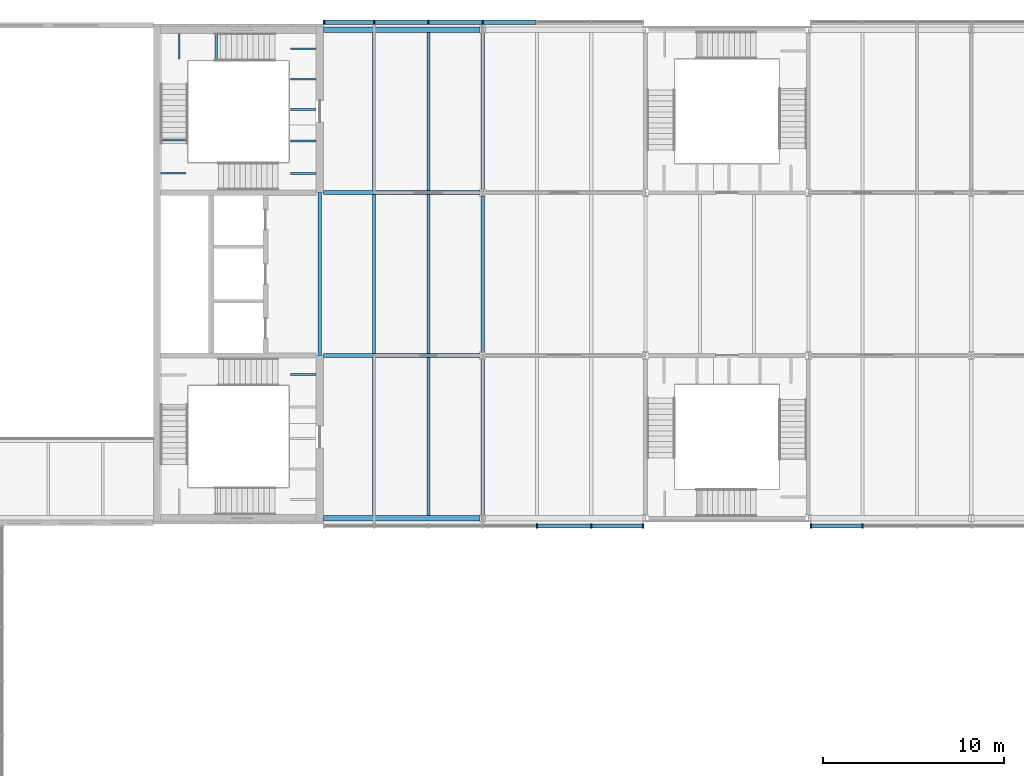
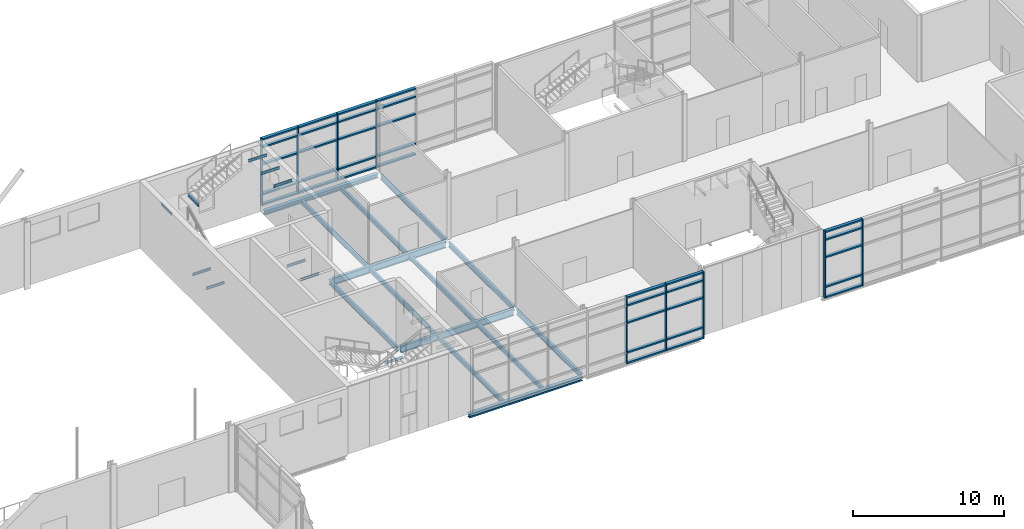
# One storey, part 25 of 56: 44 members, 24 beams, 3 elements without a shape of their own.
"""IFC4 building model written with IfcOpenShell, lengths in metres."""

from ifc_helpers import new_model, si_unit, direction, frame, origin, origin_2d, place, context, subcontext, project, spatial, rectangle, i_section, extrude, material, material_profile, profile_set, type_object, element, aggregate, save


model = new_model("IFC4")

# Units and contexts
model_context = context("Model", 3, precision=1e-05, world=origin(), true_north=direction((0.0, 1.0)))
body_context = subcontext(model_context, "Body", "Model", "MODEL_VIEW")
ifc_project = project(units=[si_unit("LENGTHUNIT", "METRE"), si_unit("AREAUNIT", "SQUARE_METRE"), si_unit("VOLUMEUNIT", "CUBIC_METRE"), si_unit("PLANEANGLEUNIT", "RADIAN"), si_unit("MASSUNIT", "GRAM", prefix="KILO")], contexts=[model_context])

# Site, building, storey
site_placement = place(None, origin())
site = spatial("IfcSite", under=ifc_project, at=site_placement, CompositionType="ELEMENT")
building_placement = place(site_placement, origin())
building = spatial("IfcBuilding", under=site, at=building_placement, Name="Azimuth Sports and Learning Centre", CompositionType="ELEMENT")
storey_placement = place(building_placement, frame((0.0, 0.0, 5.39990234375)))
storey = spatial("IfcBuildingStorey", under=building, at=storey_placement, Name="L01", CompositionType="ELEMENT", Elevation=5.39990234375)

# Beams
ifc_material_1 = material(Name="Steel S355", Category="steel")
ifc_material_profile_1 = material_profile(ifc_material_1, i_section(OverallWidth=0.10009765625, OverallDepth=0.199951171875, WebThickness=0.005615234375, FlangeThickness=0.008544921875, FilletRadius=0.011962890625, at=origin_2d()), Name="IPE 200")
ifc_profile_set_1 = profile_set([ifc_material_profile_1], Name="Steel S355")
beam_type_1 = type_object("IfcBeamType", Name="Beam IPE 200", PredefinedType="BEAM", material=ifc_profile_set_1)
for number, where, z_axis, x_axis, name in (
    (1, (116.800048828125, 97.9423828125, -0.2998046875), (-1.0, 0.0, 0.0), (0.0, -1.0, 0.0), "Landing bracket E1 L01 365"),
    (2, (116.800048828125, 109.0576171875, -0.2998046875), (-1.0, 0.0, 0.0), (0.0, -1.0, 0.0), "Landing bracket E2 L01 542"),
    (3, (116.800048828125, 110.8525390625, -0.2998046875), (-1.0, 0.0, 0.0), (0.0, -1.0, 0.0), "Landing bracket E2 L01 543"),
    (4, (108.199951171875, 109.072509765625, 1.5), (1.0, 0.0, 0.0), (0.0, 1.0, 0.0), "Landing bracket E2 L01 544"),
    (5, (108.199951171875, 110.8974609375, 1.5), (1.0, 0.0, 0.0), (0.0, 1.0, 0.0), "Landing bracket E2 L01 545"),
    (6, (109.235107421875, 116.800048828125, 3.300048828125), (0.0, -1.0, 0.0), (1.0, 0.0, 0.0), "Landing bracket E2 L01 546"),
    (7, (111.284912109375, 116.800048828125, 3.300048828125), (0.0, -1.0, 0.0), (1.0, 0.0, 0.0), "Landing bracket E2 L01 547"),
    (8, (116.800048828125, 112.590087890625, 5.10009765625), (-1.0, 0.0, 0.0), (0.0, -1.0, 0.0), "Landing bracket E2 L01 548"),
    (9, (116.800048828125, 114.27001953125, 5.10009765625), (-1.0, 0.0, 0.0), (0.0, -1.0, 0.0), "Landing bracket E2 L01 549"),
    (10, (116.800048828125, 115.949951171875, 5.10009765625), (-1.0, 0.0, 0.0), (0.0, -1.0, 0.0), "Landing bracket E2 L01 550"),
):
    element("IfcBeam", number, at=place(storey_placement, frame(where, z_axis=z_axis, x_axis=x_axis)), inside=storey, type_object=beam_type_1, Name=name, PredefinedType="BEAM", context=body_context, shape_type="SweptSolid", body=[
        extrude(i_section(OverallWidth=0.10009765625, OverallDepth=0.199951171875, WebThickness=0.005615234375, FlangeThickness=0.008544921875, FilletRadius=0.011962890625, at=origin_2d()), origin(), (0.0, 0.0, 1.0), 1.41015625),
    ])
ifc_material_2 = material(Name="Steel S355", Category="steel")
ifc_material_profile_2 = material_profile(ifc_material_2, i_section(OverallWidth=0.179931640625, OverallDepth=0.39990234375, WebThickness=0.008544921875, FlangeThickness=0.013427734375, FilletRadius=0.02099609375, at=origin_2d()), Name="IPE 400")
ifc_profile_set_2 = profile_set([ifc_material_profile_2], Name="Steel S355")
beam_type_2 = type_object("IfcBeamType", Name="Beam IPE 400", PredefinedType="BEAM", material=ifc_profile_set_2)
beam_1_placement = place(storey_placement, frame((117.0, 99.0, -0.349853515625), z_axis=(0.0, 1.0, 0.0), x_axis=(-1.0, 0.0, 0.0)))
element("IfcBeam", 11, at=beam_1_placement, inside=storey, type_object=beam_type_2, Name="Beam L01 WE 17", PredefinedType="BEAM", context=body_context, shape_type="SweptSolid", body=[
    extrude(i_section(OverallWidth=0.179931640625, OverallDepth=0.39990234375, WebThickness=0.008544921875, FlangeThickness=0.013427734375, FilletRadius=0.02099609375, at=origin_2d()), origin(), (0.0, 0.0, 1.0), 9.0),
])
for number, where, z_axis, x_axis, name in (
    (12, (126.0, 90.199951171875, -0.349853515625), (0.0, 1.0, 0.0), (-1.0, 0.0, 0.0), "Beam L01 WE 18"),
    (13, (126.0, 99.199951171875, -0.349853515625), (0.0, 1.0, 0.0), (-1.0, 0.0, 0.0), "Beam L01 WE 19"),
    (14, (126.0, 108.199951171875, -0.349853515625), (0.0, 1.0, 0.0), (-1.0, 0.0, 0.0), "Beam L01 WE 20"),
):
    element("IfcBeam", number, at=place(storey_placement, frame(where, z_axis=z_axis, x_axis=x_axis)), inside=storey, type_object=beam_type_2, Name=name, PredefinedType="BEAM", context=body_context, shape_type="SweptSolid", body=[
        extrude(i_section(OverallWidth=0.179931640625, OverallDepth=0.39990234375, WebThickness=0.008544921875, FlangeThickness=0.013427734375, FilletRadius=0.02099609375, at=origin_2d()), origin(), (0.0, 0.0, 1.0), 8.60009765625),
    ])
ifc_material_3 = material(Name="Steel S355", Category="steel")
ifc_material_profile_3 = material_profile(ifc_material_3, i_section(OverallWidth=0.2099609375, OverallDepth=0.550048828125, WebThickness=0.010986328125, FlangeThickness=0.01708984375, FilletRadius=0.02392578125, at=origin_2d()), Name="IPE 550")
ifc_profile_set_3 = profile_set([ifc_material_profile_3], Name="Steel S355")
beam_type_3 = type_object("IfcBeamType", Name="Beam IPE 550", PredefinedType="BEAM", material=ifc_profile_set_3)
for number, where, z_axis, x_axis, name in (
    (15, (117.199951171875, 99.0, -0.4248046875), (1.0, 0.0, 0.0), (0.0, 1.0, 0.0), "Beam L01 WE 5"),
    (16, (117.199951171875, 108.0, -0.4248046875), (1.0, 0.0, 0.0), (0.0, 1.0, 0.0), "Beam L01 WE 9"),
):
    element("IfcBeam", number, at=place(storey_placement, frame(where, z_axis=z_axis, x_axis=x_axis)), inside=storey, type_object=beam_type_3, Name=name, PredefinedType="BEAM", context=body_context, shape_type="SweptSolid", body=[
        extrude(i_section(OverallWidth=0.2099609375, OverallDepth=0.550048828125, WebThickness=0.010986328125, FlangeThickness=0.01708984375, FilletRadius=0.02392578125, at=origin_2d()), origin(), (0.0, 0.0, 1.0), 8.650146484375),
    ])
ifc_material_4 = material(Name="Steel S355", Category="steel")
ifc_material_profile_4 = material_profile(ifc_material_4, i_section(OverallWidth=0.300048828125, OverallDepth=0.330078125, WebThickness=0.009521484375, FlangeThickness=0.0166015625, FilletRadius=0.027099609375, at=origin_2d()), Name="HEA 340")
ifc_profile_set_4 = profile_set([ifc_material_profile_4], Name="Steel S355")
beam_type_4 = type_object("IfcBeamType", Name="Edge beam HEA 340", PredefinedType="SPANDREL", material=ifc_profile_set_4)
for number, where, z_axis, x_axis, name in (
    (17, (117.199951171875, 90.0, -0.31494140625), (1.0, 0.0, 0.0), (0.0, 1.0, 0.0), "Edge beam L01 WE 1"),
    (18, (117.199951171875, 117.0, -0.31494140625), (1.0, 0.0, 0.0), (0.0, 1.0, 0.0), "Edge beam L01 WE 13"),
):
    element("IfcBeam", number, at=place(storey_placement, frame(where, z_axis=z_axis, x_axis=x_axis)), inside=storey, type_object=beam_type_4, Name=name, PredefinedType="SPANDREL", context=body_context, shape_type="SweptSolid", body=[
        extrude(i_section(OverallWidth=0.300048828125, OverallDepth=0.330078125, WebThickness=0.009521484375, FlangeThickness=0.0166015625, FilletRadius=0.027099609375, at=origin_2d()), origin(), (0.0, 0.0, 1.0), 8.650146484375),
    ])
ifc_material_5 = material(Name="Steel S355", Category="steel")
ifc_material_profile_5 = material_profile(ifc_material_5, i_section(OverallWidth=0.169921875, OverallDepth=0.360107421875, WebThickness=0.008056640625, FlangeThickness=0.0126953125, FilletRadius=0.01806640625, at=origin_2d()), Name="IPE 360")
ifc_profile_set_5 = profile_set([ifc_material_profile_5], Name="Steel S355")
beam_type_5 = type_object("IfcBeamType", Name="Joist IPE 360", PredefinedType="JOIST", material=ifc_profile_set_5)
beam_2_placement = place(storey_placement, frame((120.0, 90.14990234375, -0.329833984375), z_axis=(0.0, 1.0, 0.0), x_axis=(-1.0, 0.0, 0.0)))
element("IfcBeam", 19, at=beam_2_placement, inside=storey, type_object=beam_type_5, Name="Joist L01 WE 27", PredefinedType="JOIST", context=body_context, shape_type="SweptSolid", body=[
    extrude(i_section(OverallWidth=0.169921875, OverallDepth=0.360107421875, WebThickness=0.008056640625, FlangeThickness=0.0126953125, FilletRadius=0.01806640625, at=origin_2d()), origin(), (0.0, 0.0, 1.0), 8.7451171875),
])
beam_3_placement = place(storey_placement, frame((120.0, 99.10498046875, -0.329833984375), z_axis=(0.0, 1.0, 0.0), x_axis=(-1.0, 0.0, 0.0)))
element("IfcBeam", 20, at=beam_3_placement, inside=storey, type_object=beam_type_5, Name="Joist L01 WE 28", PredefinedType="JOIST", context=body_context, shape_type="SweptSolid", body=[
    extrude(i_section(OverallWidth=0.169921875, OverallDepth=0.360107421875, WebThickness=0.008056640625, FlangeThickness=0.0126953125, FilletRadius=0.01806640625, at=origin_2d()), origin(), (0.0, 0.0, 1.0), 8.7900390625),
])
for number, where, z_axis, x_axis, name in (
    (21, (120.0, 108.10498046875, -0.329833984375), (0.0, 1.0, 0.0), (-1.0, 0.0, 0.0), "Joist L01 WE 29"),
    (22, (123.0, 90.14990234375, -0.329833984375), (0.0, 1.0, 0.0), (-1.0, 0.0, 0.0), "Joist L01 WE 30"),
):
    element("IfcBeam", number, at=place(storey_placement, frame(where, z_axis=z_axis, x_axis=x_axis)), inside=storey, type_object=beam_type_5, Name=name, PredefinedType="JOIST", context=body_context, shape_type="SweptSolid", body=[
        extrude(i_section(OverallWidth=0.169921875, OverallDepth=0.360107421875, WebThickness=0.008056640625, FlangeThickness=0.0126953125, FilletRadius=0.01806640625, at=origin_2d()), origin(), (0.0, 0.0, 1.0), 8.7451171875),
    ])
beam_4_placement = place(storey_placement, frame((123.0, 99.10498046875, -0.329833984375), z_axis=(0.0, 1.0, 0.0), x_axis=(-1.0, 0.0, 0.0)))
element("IfcBeam", 23, at=beam_4_placement, inside=storey, type_object=beam_type_5, Name="Joist L01 WE 31", PredefinedType="JOIST", context=body_context, shape_type="SweptSolid", body=[
    extrude(i_section(OverallWidth=0.169921875, OverallDepth=0.360107421875, WebThickness=0.008056640625, FlangeThickness=0.0126953125, FilletRadius=0.01806640625, at=origin_2d()), origin(), (0.0, 0.0, 1.0), 8.7900390625),
])
beam_5_placement = place(storey_placement, frame((123.0, 108.10498046875, -0.329833984375), z_axis=(0.0, 1.0, 0.0), x_axis=(-1.0, 0.0, 0.0)))
element("IfcBeam", 24, at=beam_5_placement, inside=storey, type_object=beam_type_5, Name="Joist L01 WE 32", PredefinedType="JOIST", context=body_context, shape_type="SweptSolid", body=[
    extrude(i_section(OverallWidth=0.169921875, OverallDepth=0.360107421875, WebThickness=0.008056640625, FlangeThickness=0.0126953125, FilletRadius=0.01806640625, at=origin_2d()), origin(), (0.0, 0.0, 1.0), 8.7451171875),
])

# Curtain wall, members
ifc_material_6 = material(Name="Aluminium and glass", Category="aluminium")
curtain_wall_type = type_object("IfcCurtainWallType", Name="Curtain wall podium wing 240", PredefinedType="NOTDEFINED", material=ifc_material_6)
curtain_wall_1_placement = place(storey_placement, origin())
curtain_wall_1 = element("IfcCurtainWall", 25, at=curtain_wall_1_placement, inside=storey, type_object=curtain_wall_type, Name="Curtain wall CW01-009", PredefinedType="NOTDEFINED")
ifc_material_7 = material(Name="Aluminium", Category="aluminium")
ifc_material_profile_6 = material_profile(ifc_material_7, rectangle(XDim=0.239990234375, YDim=0.080078125, at=origin_2d()), Name="Mullion 80x240")
ifc_profile_set_6 = profile_set([ifc_material_profile_6], Name="Aluminium")
member_type_1 = type_object("IfcMemberType", Name="Mullion 80x240", PredefinedType="MULLION", material=ifc_profile_set_6)
member_1_placement = place(storey_placement, frame((129.0, 89.580078125, 0.0), z_axis=(0.0, 0.0, 1.0), x_axis=(0.0, 1.0, 0.0)))
member_1 = element("IfcMember", 26, at=member_1_placement, type_object=member_type_1, Name="CW01-009 mullion 5", PredefinedType="MULLION", context=body_context, shape_type="SweptSolid", body=[
    extrude(rectangle(XDim=0.239990234375, YDim=0.080078125, at=origin_2d()), origin(), (0.0, 0.0, 1.0), 5.400146484375),
])
member_2_placement = place(storey_placement, frame((132.0, 89.580078125, 0.0), z_axis=(0.0, 0.0, 1.0), x_axis=(0.0, 1.0, 0.0)))
member_2 = element("IfcMember", 27, at=member_2_placement, type_object=member_type_1, Name="CW01-009 mullion 6", PredefinedType="MULLION", context=body_context, shape_type="SweptSolid", body=[
    extrude(rectangle(XDim=0.239990234375, YDim=0.080078125, at=origin_2d()), origin(), (0.0, 0.0, 1.0), 5.400146484375),
])
member_3_placement = place(storey_placement, frame((134.860107421875, 89.580078125, 0.0), z_axis=(0.0, 0.0, 1.0), x_axis=(0.0, 1.0, 0.0)))
member_3 = element("IfcMember", 28, at=member_3_placement, type_object=member_type_1, Name="CW01-009 mullion 7", PredefinedType="MULLION", context=body_context, shape_type="SweptSolid", body=[
    extrude(rectangle(XDim=0.239990234375, YDim=0.080078125, at=origin_2d()), origin(), (0.0, 0.0, 1.0), 5.400146484375),
])

curtain_wall_2_placement = place(storey_placement, origin())
curtain_wall_2 = element("IfcCurtainWall", 29, at=curtain_wall_2_placement, inside=storey, type_object=curtain_wall_type, Name="Curtain wall CW01-010", PredefinedType="NOTDEFINED")
member_4_placement = place(storey_placement, frame((144.139892578125, 89.580078125, 0.0), z_axis=(0.0, 0.0, 1.0), x_axis=(0.0, 1.0, 0.0)))
member_4 = element("IfcMember", 30, at=member_4_placement, type_object=member_type_1, Name="CW01-010 mullion 1", PredefinedType="MULLION", context=body_context, shape_type="SweptSolid", body=[
    extrude(rectangle(XDim=0.239990234375, YDim=0.080078125, at=origin_2d()), origin(), (0.0, 0.0, 1.0), 5.400146484375),
])
member_5_placement = place(storey_placement, frame((147.0, 89.580078125, 0.0), z_axis=(0.0, 0.0, 1.0), x_axis=(0.0, 1.0, 0.0)))
member_5 = element("IfcMember", 31, at=member_5_placement, type_object=member_type_1, Name="CW01-010 mullion 2", PredefinedType="MULLION", context=body_context, shape_type="SweptSolid", body=[
    extrude(rectangle(XDim=0.239990234375, YDim=0.080078125, at=origin_2d()), origin(), (0.0, 0.0, 1.0), 5.400146484375),
])

curtain_wall_3_placement = place(storey_placement, origin())
curtain_wall_3 = element("IfcCurtainWall", 32, at=curtain_wall_3_placement, inside=storey, type_object=curtain_wall_type, Name="Curtain wall CW01-012", PredefinedType="NOTDEFINED")
member_6_placement = place(storey_placement, frame((126.0, 117.419921875, 0.0), z_axis=(0.0, 0.0, 1.0), x_axis=(0.0, -1.0, 0.0)))
member_6 = element("IfcMember", 33, at=member_6_placement, type_object=member_type_1, Name="CW01-012 mullion 4", PredefinedType="MULLION", context=body_context, shape_type="SweptSolid", body=[
    extrude(rectangle(XDim=0.239990234375, YDim=0.080078125, at=origin_2d()), origin(), (0.0, 0.0, 1.0), 5.400146484375),
])
member_7_placement = place(storey_placement, frame((123.0, 117.419921875, 0.0), z_axis=(0.0, 0.0, 1.0), x_axis=(0.0, -1.0, 0.0)))
member_7 = element("IfcMember", 34, at=member_7_placement, type_object=member_type_1, Name="CW01-012 mullion 5", PredefinedType="MULLION", context=body_context, shape_type="SweptSolid", body=[
    extrude(rectangle(XDim=0.239990234375, YDim=0.080078125, at=origin_2d()), origin(), (0.0, 0.0, 1.0), 5.400146484375),
])
member_8_placement = place(storey_placement, frame((120.0, 117.419921875, 0.0), z_axis=(0.0, 0.0, 1.0), x_axis=(0.0, -1.0, 0.0)))
member_8 = element("IfcMember", 35, at=member_8_placement, type_object=member_type_1, Name="CW01-012 mullion 6", PredefinedType="MULLION", context=body_context, shape_type="SweptSolid", body=[
    extrude(rectangle(XDim=0.239990234375, YDim=0.080078125, at=origin_2d()), origin(), (0.0, 0.0, 1.0), 5.400146484375),
])
member_9_placement = place(storey_placement, frame((117.239990234375, 117.419921875, 0.0), z_axis=(0.0, 0.0, 1.0), x_axis=(0.0, -1.0, 0.0)))
member_9 = element("IfcMember", 36, at=member_9_placement, type_object=member_type_1, Name="CW01-012 mullion 7", PredefinedType="MULLION", context=body_context, shape_type="SweptSolid", body=[
    extrude(rectangle(XDim=0.239990234375, YDim=0.080078125, at=origin_2d()), origin(), (0.0, 0.0, 1.0), 5.400146484375),
])

# Member
ifc_material_8 = material(Name="Aluminium", Category="aluminium")
ifc_material_profile_7 = material_profile(ifc_material_8, rectangle(XDim=0.239990234375, YDim=0.1201171875, at=origin_2d()), Name="Transom 120x240")
ifc_profile_set_7 = profile_set([ifc_material_profile_7], Name="Aluminium")
member_type_2 = type_object("IfcMemberType", Name="Transom 120x240", PredefinedType="USERDEFINED", material=ifc_profile_set_7)
member_10_placement = place(storey_placement, frame((129.0400390625, 89.580078125, 0.06005859375), z_axis=(1.0, 0.0, 0.0), x_axis=(0.0, 1.0, 0.0)))
member_10 = element("IfcMember", 37, at=member_10_placement, type_object=member_type_2, Name="CW01-009 transom 5.1", ObjectType="TRANSOM", PredefinedType="USERDEFINED", context=body_context, shape_type="SweptSolid", body=[
    extrude(rectangle(XDim=0.239990234375, YDim=0.1201171875, at=origin_2d()), origin(), (0.0, 0.0, 1.0), 2.919921875),
])

member_11_placement = place(storey_placement, frame((129.0400390625, 89.580078125, 0.900146484375), z_axis=(1.0, 0.0, 0.0), x_axis=(0.0, 1.0, 0.0)))
member_11 = element("IfcMember", 38, at=member_11_placement, type_object=member_type_2, Name="CW01-009 transom 5.2", ObjectType="TRANSOM", PredefinedType="USERDEFINED", context=body_context, shape_type="SweptSolid", body=[
    extrude(rectangle(XDim=0.239990234375, YDim=0.1201171875, at=origin_2d()), origin(), (0.0, 0.0, 1.0), 2.919921875),
])

member_12_placement = place(storey_placement, frame((129.0400390625, 89.580078125, 3.300048828125), z_axis=(1.0, 0.0, 0.0), x_axis=(0.0, 1.0, 0.0)))
member_12 = element("IfcMember", 39, at=member_12_placement, type_object=member_type_2, Name="CW01-009 transom 5.3", ObjectType="TRANSOM", PredefinedType="USERDEFINED", context=body_context, shape_type="SweptSolid", body=[
    extrude(rectangle(XDim=0.239990234375, YDim=0.1201171875, at=origin_2d()), origin(), (0.0, 0.0, 1.0), 2.919921875),
])

member_13_placement = place(storey_placement, frame((129.0400390625, 89.580078125, 4.7001953125), z_axis=(1.0, 0.0, 0.0), x_axis=(0.0, 1.0, 0.0)))
member_13 = element("IfcMember", 40, at=member_13_placement, type_object=member_type_2, Name="CW01-009 transom 5.4", ObjectType="TRANSOM", PredefinedType="USERDEFINED", context=body_context, shape_type="SweptSolid", body=[
    extrude(rectangle(XDim=0.239990234375, YDim=0.1201171875, at=origin_2d()), origin(), (0.0, 0.0, 1.0), 2.919921875),
])

member_14_placement = place(storey_placement, frame((129.0400390625, 89.580078125, 5.340087890625), z_axis=(1.0, 0.0, 0.0), x_axis=(0.0, 1.0, 0.0)))
member_14 = element("IfcMember", 41, at=member_14_placement, type_object=member_type_2, Name="CW01-009 transom 5.5", ObjectType="TRANSOM", PredefinedType="USERDEFINED", context=body_context, shape_type="SweptSolid", body=[
    extrude(rectangle(XDim=0.239990234375, YDim=0.1201171875, at=origin_2d()), origin(), (0.0, 0.0, 1.0), 2.919921875),
])

member_15_placement = place(storey_placement, frame((132.0400390625, 89.580078125, 0.06005859375), z_axis=(1.0, 0.0, 0.0), x_axis=(0.0, 1.0, 0.0)))
member_15 = element("IfcMember", 42, at=member_15_placement, type_object=member_type_2, Name="CW01-009 transom 6.1", ObjectType="TRANSOM", PredefinedType="USERDEFINED", context=body_context, shape_type="SweptSolid", body=[
    extrude(rectangle(XDim=0.239990234375, YDim=0.1201171875, at=origin_2d()), origin(), (0.0, 0.0, 1.0), 2.780029296875),
])

member_16_placement = place(storey_placement, frame((132.0400390625, 89.580078125, 0.900146484375), z_axis=(1.0, 0.0, 0.0), x_axis=(0.0, 1.0, 0.0)))
member_16 = element("IfcMember", 43, at=member_16_placement, type_object=member_type_2, Name="CW01-009 transom 6.2", ObjectType="TRANSOM", PredefinedType="USERDEFINED", context=body_context, shape_type="SweptSolid", body=[
    extrude(rectangle(XDim=0.239990234375, YDim=0.1201171875, at=origin_2d()), origin(), (0.0, 0.0, 1.0), 2.780029296875),
])

member_17_placement = place(storey_placement, frame((132.0400390625, 89.580078125, 3.300048828125), z_axis=(1.0, 0.0, 0.0), x_axis=(0.0, 1.0, 0.0)))
member_17 = element("IfcMember", 44, at=member_17_placement, type_object=member_type_2, Name="CW01-009 transom 6.3", ObjectType="TRANSOM", PredefinedType="USERDEFINED", context=body_context, shape_type="SweptSolid", body=[
    extrude(rectangle(XDim=0.239990234375, YDim=0.1201171875, at=origin_2d()), origin(), (0.0, 0.0, 1.0), 2.780029296875),
])

member_18_placement = place(storey_placement, frame((132.0400390625, 89.580078125, 4.7001953125), z_axis=(1.0, 0.0, 0.0), x_axis=(0.0, 1.0, 0.0)))
member_18 = element("IfcMember", 45, at=member_18_placement, type_object=member_type_2, Name="CW01-009 transom 6.4", ObjectType="TRANSOM", PredefinedType="USERDEFINED", context=body_context, shape_type="SweptSolid", body=[
    extrude(rectangle(XDim=0.239990234375, YDim=0.1201171875, at=origin_2d()), origin(), (0.0, 0.0, 1.0), 2.780029296875),
])

member_19_placement = place(storey_placement, frame((132.0400390625, 89.580078125, 5.340087890625), z_axis=(1.0, 0.0, 0.0), x_axis=(0.0, 1.0, 0.0)))
member_19 = element("IfcMember", 46, at=member_19_placement, type_object=member_type_2, Name="CW01-009 transom 6.5", ObjectType="TRANSOM", PredefinedType="USERDEFINED", context=body_context, shape_type="SweptSolid", body=[
    extrude(rectangle(XDim=0.239990234375, YDim=0.1201171875, at=origin_2d()), origin(), (0.0, 0.0, 1.0), 2.780029296875),
])

aggregate(curtain_wall_1, [member_1, member_2, member_3, member_10, member_11, member_12, member_13, member_14, member_15, member_16, member_17, member_18, member_19])

member_20_placement = place(storey_placement, frame((144.179931640625, 89.580078125, 0.06005859375), z_axis=(1.0, 0.0, 0.0), x_axis=(0.0, 1.0, 0.0)))
member_20 = element("IfcMember", 47, at=member_20_placement, type_object=member_type_2, Name="CW01-010 transom 1.1", ObjectType="TRANSOM", PredefinedType="USERDEFINED", context=body_context, shape_type="SweptSolid", body=[
    extrude(rectangle(XDim=0.239990234375, YDim=0.1201171875, at=origin_2d()), origin(), (0.0, 0.0, 1.0), 2.780029296875),
])

member_21_placement = place(storey_placement, frame((144.179931640625, 89.580078125, 0.900146484375), z_axis=(1.0, 0.0, 0.0), x_axis=(0.0, 1.0, 0.0)))
member_21 = element("IfcMember", 48, at=member_21_placement, type_object=member_type_2, Name="CW01-010 transom 1.2", ObjectType="TRANSOM", PredefinedType="USERDEFINED", context=body_context, shape_type="SweptSolid", body=[
    extrude(rectangle(XDim=0.239990234375, YDim=0.1201171875, at=origin_2d()), origin(), (0.0, 0.0, 1.0), 2.780029296875),
])

member_22_placement = place(storey_placement, frame((144.179931640625, 89.580078125, 3.300048828125), z_axis=(1.0, 0.0, 0.0), x_axis=(0.0, 1.0, 0.0)))
member_22 = element("IfcMember", 49, at=member_22_placement, type_object=member_type_2, Name="CW01-010 transom 1.3", ObjectType="TRANSOM", PredefinedType="USERDEFINED", context=body_context, shape_type="SweptSolid", body=[
    extrude(rectangle(XDim=0.239990234375, YDim=0.1201171875, at=origin_2d()), origin(), (0.0, 0.0, 1.0), 2.780029296875),
])

member_23_placement = place(storey_placement, frame((144.179931640625, 89.580078125, 4.7001953125), z_axis=(1.0, 0.0, 0.0), x_axis=(0.0, 1.0, 0.0)))
member_23 = element("IfcMember", 50, at=member_23_placement, type_object=member_type_2, Name="CW01-010 transom 1.4", ObjectType="TRANSOM", PredefinedType="USERDEFINED", context=body_context, shape_type="SweptSolid", body=[
    extrude(rectangle(XDim=0.239990234375, YDim=0.1201171875, at=origin_2d()), origin(), (0.0, 0.0, 1.0), 2.780029296875),
])

member_24_placement = place(storey_placement, frame((144.179931640625, 89.580078125, 5.340087890625), z_axis=(1.0, 0.0, 0.0), x_axis=(0.0, 1.0, 0.0)))
member_24 = element("IfcMember", 51, at=member_24_placement, type_object=member_type_2, Name="CW01-010 transom 1.5", ObjectType="TRANSOM", PredefinedType="USERDEFINED", context=body_context, shape_type="SweptSolid", body=[
    extrude(rectangle(XDim=0.239990234375, YDim=0.1201171875, at=origin_2d()), origin(), (0.0, 0.0, 1.0), 2.780029296875),
])

aggregate(curtain_wall_2, [member_4, member_5, member_20, member_21, member_22, member_23, member_24])

member_25_placement = place(storey_placement, frame((128.9599609375, 117.419921875, 0.06005859375), z_axis=(-1.0, 0.0, 0.0), x_axis=(0.0, -1.0, 0.0)))
member_25 = element("IfcMember", 52, at=member_25_placement, type_object=member_type_2, Name="CW01-012 transom 3.1", ObjectType="TRANSOM", PredefinedType="USERDEFINED", context=body_context, shape_type="SweptSolid", body=[
    extrude(rectangle(XDim=0.239990234375, YDim=0.1201171875, at=origin_2d()), origin(), (0.0, 0.0, 1.0), 2.919921875),
])

member_26_placement = place(storey_placement, frame((128.9599609375, 117.419921875, 0.900146484375), z_axis=(-1.0, 0.0, 0.0), x_axis=(0.0, -1.0, 0.0)))
member_26 = element("IfcMember", 53, at=member_26_placement, type_object=member_type_2, Name="CW01-012 transom 3.2", ObjectType="TRANSOM", PredefinedType="USERDEFINED", context=body_context, shape_type="SweptSolid", body=[
    extrude(rectangle(XDim=0.239990234375, YDim=0.1201171875, at=origin_2d()), origin(), (0.0, 0.0, 1.0), 2.919921875),
])

member_27_placement = place(storey_placement, frame((128.9599609375, 117.419921875, 3.300048828125), z_axis=(-1.0, 0.0, 0.0), x_axis=(0.0, -1.0, 0.0)))
member_27 = element("IfcMember", 54, at=member_27_placement, type_object=member_type_2, Name="CW01-012 transom 3.3", ObjectType="TRANSOM", PredefinedType="USERDEFINED", context=body_context, shape_type="SweptSolid", body=[
    extrude(rectangle(XDim=0.239990234375, YDim=0.1201171875, at=origin_2d()), origin(), (0.0, 0.0, 1.0), 2.919921875),
])

member_28_placement = place(storey_placement, frame((128.9599609375, 117.419921875, 4.7001953125), z_axis=(-1.0, 0.0, 0.0), x_axis=(0.0, -1.0, 0.0)))
member_28 = element("IfcMember", 55, at=member_28_placement, type_object=member_type_2, Name="CW01-012 transom 3.4", ObjectType="TRANSOM", PredefinedType="USERDEFINED", context=body_context, shape_type="SweptSolid", body=[
    extrude(rectangle(XDim=0.239990234375, YDim=0.1201171875, at=origin_2d()), origin(), (0.0, 0.0, 1.0), 2.919921875),
])

member_29_placement = place(storey_placement, frame((128.9599609375, 117.419921875, 5.340087890625), z_axis=(-1.0, 0.0, 0.0), x_axis=(0.0, -1.0, 0.0)))
member_29 = element("IfcMember", 56, at=member_29_placement, type_object=member_type_2, Name="CW01-012 transom 3.5", ObjectType="TRANSOM", PredefinedType="USERDEFINED", context=body_context, shape_type="SweptSolid", body=[
    extrude(rectangle(XDim=0.239990234375, YDim=0.1201171875, at=origin_2d()), origin(), (0.0, 0.0, 1.0), 2.919921875),
])

member_30_placement = place(storey_placement, frame((125.9599609375, 117.419921875, 0.06005859375), z_axis=(-1.0, 0.0, 0.0), x_axis=(0.0, -1.0, 0.0)))
member_30 = element("IfcMember", 57, at=member_30_placement, type_object=member_type_2, Name="CW01-012 transom 4.1", ObjectType="TRANSOM", PredefinedType="USERDEFINED", context=body_context, shape_type="SweptSolid", body=[
    extrude(rectangle(XDim=0.239990234375, YDim=0.1201171875, at=origin_2d()), origin(), (0.0, 0.0, 1.0), 2.919921875),
])

member_31_placement = place(storey_placement, frame((125.9599609375, 117.419921875, 0.900146484375), z_axis=(-1.0, 0.0, 0.0), x_axis=(0.0, -1.0, 0.0)))
member_31 = element("IfcMember", 58, at=member_31_placement, type_object=member_type_2, Name="CW01-012 transom 4.2", ObjectType="TRANSOM", PredefinedType="USERDEFINED", context=body_context, shape_type="SweptSolid", body=[
    extrude(rectangle(XDim=0.239990234375, YDim=0.1201171875, at=origin_2d()), origin(), (0.0, 0.0, 1.0), 2.919921875),
])

member_32_placement = place(storey_placement, frame((125.9599609375, 117.419921875, 3.300048828125), z_axis=(-1.0, 0.0, 0.0), x_axis=(0.0, -1.0, 0.0)))
member_32 = element("IfcMember", 59, at=member_32_placement, type_object=member_type_2, Name="CW01-012 transom 4.3", ObjectType="TRANSOM", PredefinedType="USERDEFINED", context=body_context, shape_type="SweptSolid", body=[
    extrude(rectangle(XDim=0.239990234375, YDim=0.1201171875, at=origin_2d()), origin(), (0.0, 0.0, 1.0), 2.919921875),
])

member_33_placement = place(storey_placement, frame((125.9599609375, 117.419921875, 4.7001953125), z_axis=(-1.0, 0.0, 0.0), x_axis=(0.0, -1.0, 0.0)))
member_33 = element("IfcMember", 60, at=member_33_placement, type_object=member_type_2, Name="CW01-012 transom 4.4", ObjectType="TRANSOM", PredefinedType="USERDEFINED", context=body_context, shape_type="SweptSolid", body=[
    extrude(rectangle(XDim=0.239990234375, YDim=0.1201171875, at=origin_2d()), origin(), (0.0, 0.0, 1.0), 2.919921875),
])

member_34_placement = place(storey_placement, frame((125.9599609375, 117.419921875, 5.340087890625), z_axis=(-1.0, 0.0, 0.0), x_axis=(0.0, -1.0, 0.0)))
member_34 = element("IfcMember", 61, at=member_34_placement, type_object=member_type_2, Name="CW01-012 transom 4.5", ObjectType="TRANSOM", PredefinedType="USERDEFINED", context=body_context, shape_type="SweptSolid", body=[
    extrude(rectangle(XDim=0.239990234375, YDim=0.1201171875, at=origin_2d()), origin(), (0.0, 0.0, 1.0), 2.919921875),
])

member_35_placement = place(storey_placement, frame((122.9599609375, 117.419921875, 0.06005859375), z_axis=(-1.0, 0.0, 0.0), x_axis=(0.0, -1.0, 0.0)))
member_35 = element("IfcMember", 62, at=member_35_placement, type_object=member_type_2, Name="CW01-012 transom 5.1", ObjectType="TRANSOM", PredefinedType="USERDEFINED", context=body_context, shape_type="SweptSolid", body=[
    extrude(rectangle(XDim=0.239990234375, YDim=0.1201171875, at=origin_2d()), origin(), (0.0, 0.0, 1.0), 2.919921875),
])

member_36_placement = place(storey_placement, frame((122.9599609375, 117.419921875, 0.900146484375), z_axis=(-1.0, 0.0, 0.0), x_axis=(0.0, -1.0, 0.0)))
member_36 = element("IfcMember", 63, at=member_36_placement, type_object=member_type_2, Name="CW01-012 transom 5.2", ObjectType="TRANSOM", PredefinedType="USERDEFINED", context=body_context, shape_type="SweptSolid", body=[
    extrude(rectangle(XDim=0.239990234375, YDim=0.1201171875, at=origin_2d()), origin(), (0.0, 0.0, 1.0), 2.919921875),
])

member_37_placement = place(storey_placement, frame((122.9599609375, 117.419921875, 3.300048828125), z_axis=(-1.0, 0.0, 0.0), x_axis=(0.0, -1.0, 0.0)))
member_37 = element("IfcMember", 64, at=member_37_placement, type_object=member_type_2, Name="CW01-012 transom 5.3", ObjectType="TRANSOM", PredefinedType="USERDEFINED", context=body_context, shape_type="SweptSolid", body=[
    extrude(rectangle(XDim=0.239990234375, YDim=0.1201171875, at=origin_2d()), origin(), (0.0, 0.0, 1.0), 2.919921875),
])

member_38_placement = place(storey_placement, frame((122.9599609375, 117.419921875, 4.7001953125), z_axis=(-1.0, 0.0, 0.0), x_axis=(0.0, -1.0, 0.0)))
member_38 = element("IfcMember", 65, at=member_38_placement, type_object=member_type_2, Name="CW01-012 transom 5.4", ObjectType="TRANSOM", PredefinedType="USERDEFINED", context=body_context, shape_type="SweptSolid", body=[
    extrude(rectangle(XDim=0.239990234375, YDim=0.1201171875, at=origin_2d()), origin(), (0.0, 0.0, 1.0), 2.919921875),
])

member_39_placement = place(storey_placement, frame((122.9599609375, 117.419921875, 5.340087890625), z_axis=(-1.0, 0.0, 0.0), x_axis=(0.0, -1.0, 0.0)))
member_39 = element("IfcMember", 66, at=member_39_placement, type_object=member_type_2, Name="CW01-012 transom 5.5", ObjectType="TRANSOM", PredefinedType="USERDEFINED", context=body_context, shape_type="SweptSolid", body=[
    extrude(rectangle(XDim=0.239990234375, YDim=0.1201171875, at=origin_2d()), origin(), (0.0, 0.0, 1.0), 2.919921875),
])

member_40_placement = place(storey_placement, frame((119.9599609375, 117.419921875, 0.06005859375), z_axis=(-1.0, 0.0, 0.0), x_axis=(0.0, -1.0, 0.0)))
member_40 = element("IfcMember", 67, at=member_40_placement, type_object=member_type_2, Name="CW01-012 transom 6.1", ObjectType="TRANSOM", PredefinedType="USERDEFINED", context=body_context, shape_type="SweptSolid", body=[
    extrude(rectangle(XDim=0.239990234375, YDim=0.1201171875, at=origin_2d()), origin(), (0.0, 0.0, 1.0), 2.679931640625),
])

member_41_placement = place(storey_placement, frame((119.9599609375, 117.419921875, 0.900146484375), z_axis=(-1.0, 0.0, 0.0), x_axis=(0.0, -1.0, 0.0)))
member_41 = element("IfcMember", 68, at=member_41_placement, type_object=member_type_2, Name="CW01-012 transom 6.2", ObjectType="TRANSOM", PredefinedType="USERDEFINED", context=body_context, shape_type="SweptSolid", body=[
    extrude(rectangle(XDim=0.239990234375, YDim=0.1201171875, at=origin_2d()), origin(), (0.0, 0.0, 1.0), 2.679931640625),
])

member_42_placement = place(storey_placement, frame((119.9599609375, 117.419921875, 3.300048828125), z_axis=(-1.0, 0.0, 0.0), x_axis=(0.0, -1.0, 0.0)))
member_42 = element("IfcMember", 69, at=member_42_placement, type_object=member_type_2, Name="CW01-012 transom 6.3", ObjectType="TRANSOM", PredefinedType="USERDEFINED", context=body_context, shape_type="SweptSolid", body=[
    extrude(rectangle(XDim=0.239990234375, YDim=0.1201171875, at=origin_2d()), origin(), (0.0, 0.0, 1.0), 2.679931640625),
])

member_43_placement = place(storey_placement, frame((119.9599609375, 117.419921875, 4.7001953125), z_axis=(-1.0, 0.0, 0.0), x_axis=(0.0, -1.0, 0.0)))
member_43 = element("IfcMember", 70, at=member_43_placement, type_object=member_type_2, Name="CW01-012 transom 6.4", ObjectType="TRANSOM", PredefinedType="USERDEFINED", context=body_context, shape_type="SweptSolid", body=[
    extrude(rectangle(XDim=0.239990234375, YDim=0.1201171875, at=origin_2d()), origin(), (0.0, 0.0, 1.0), 2.679931640625),
])

member_44_placement = place(storey_placement, frame((119.9599609375, 117.419921875, 5.340087890625), z_axis=(-1.0, 0.0, 0.0), x_axis=(0.0, -1.0, 0.0)))
member_44 = element("IfcMember", 71, at=member_44_placement, type_object=member_type_2, Name="CW01-012 transom 6.5", ObjectType="TRANSOM", PredefinedType="USERDEFINED", context=body_context, shape_type="SweptSolid", body=[
    extrude(rectangle(XDim=0.239990234375, YDim=0.1201171875, at=origin_2d()), origin(), (0.0, 0.0, 1.0), 2.679931640625),
])

aggregate(curtain_wall_3, [member_6, member_7, member_8, member_9, member_25, member_26, member_27, member_28, member_29, member_30, member_31, member_32, member_33, member_34, member_35, member_36, member_37, member_38, member_39, member_40, member_41, member_42, member_43, member_44])

save(model, "model.ifc")
